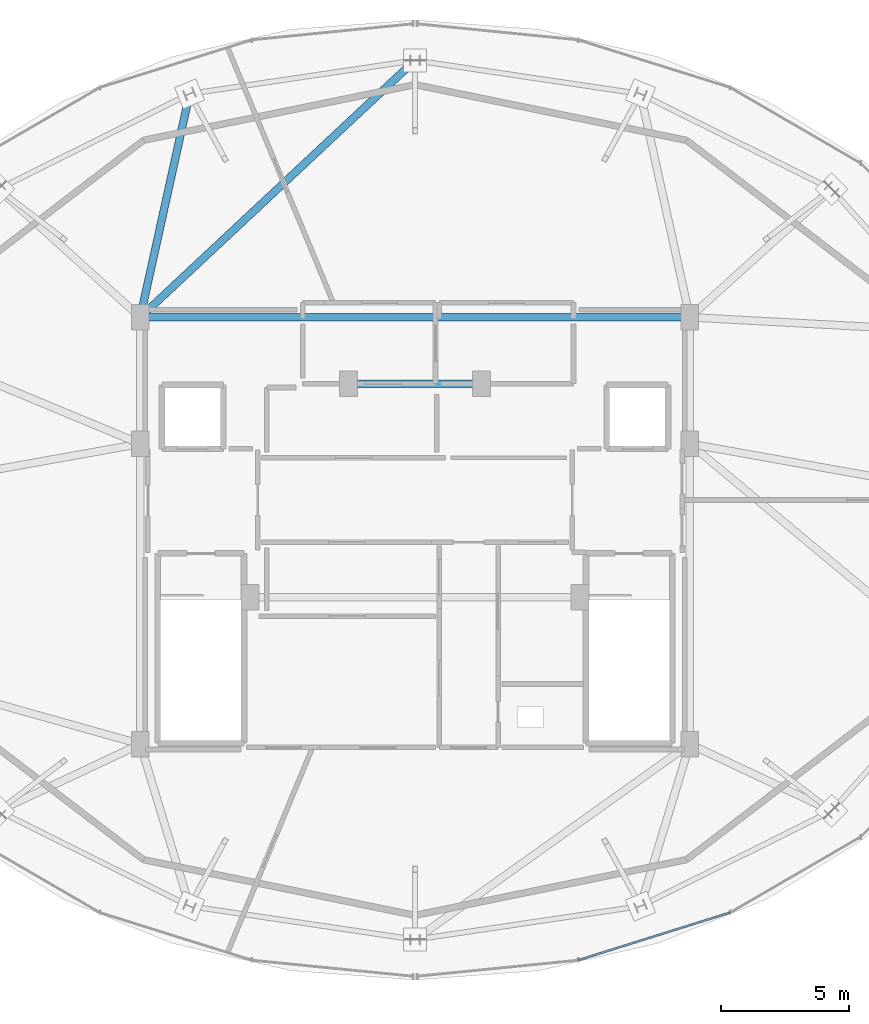
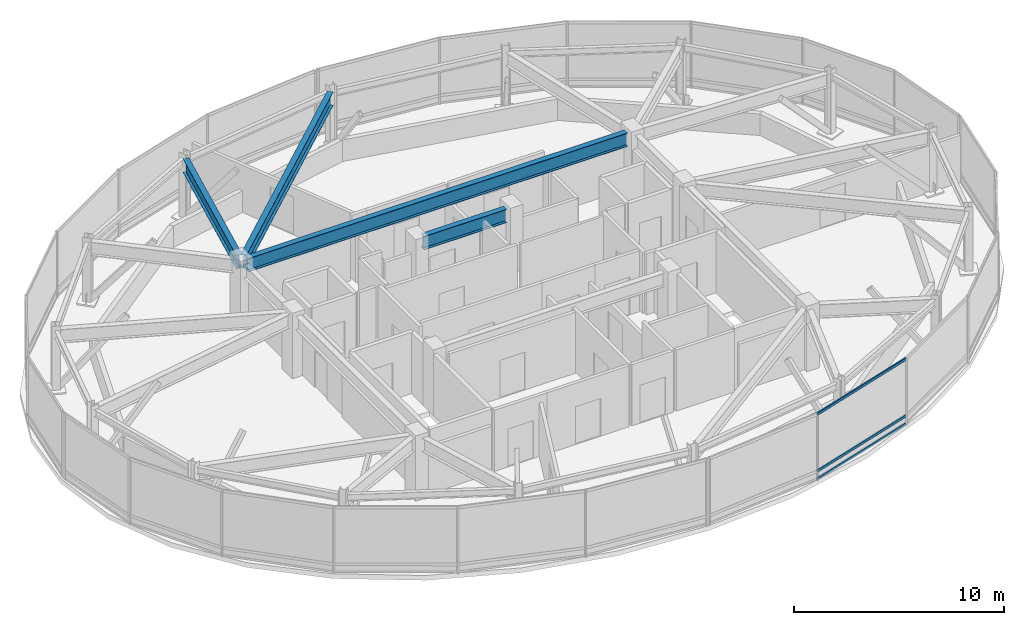
# One storey, part 11 of 28: 4 beams, 3 members, 1 element without a shape of its own.
"""IFC4 building model written with IfcOpenShell, lengths in metres."""

import ifcopenshell
import ifcopenshell.guid

model = None  # the IFC model being written
_history = None  # IfcOwnerHistory: only IFC2X3 demands one
_inside = {}  # id of a spatial element -> (the spatial element, [elements in it])
_under = {}  # id of a project, library or spatial element -> (it, [spatial elements below it])
_declared = {}  # id of a project -> (the project, [libraries it declares])
_typed = {}  # id of a type object -> (the type object, [elements of that type])
_made_of = {}  # id of a material, layer set ... -> (it, [elements and type objects made of it])


def new_model(schema):
    """Start an empty IFC model of exactly this schema.

    Asked for "IFC4X3", IfcOpenShell would pick the latest addendum, in which some entities
    have other attributes; the version numbers below select the first issue.
    IFC2X3 requires an IfcOwnerHistory on every rooted entity: one is made here for all.
    """
    global model, _history
    if schema == "IFC4X3":
        model = ifcopenshell.file(schema_version=(4, 3, 0, 0))
    else:
        model = ifcopenshell.file(schema=schema)
    _inside.clear()
    _under.clear()
    _declared.clear()
    _typed.clear()
    _made_of.clear()
    _history = None
    if model.schema == "IFC2X3":
        org = make("IfcOrganization", Name="unknown")
        user = make(
            "IfcPersonAndOrganization",
            ThePerson=make("IfcPerson", FamilyName="unknown"),
            TheOrganization=org,
        )
        app = make(
            "IfcApplication",
            ApplicationDeveloper=org,
            Version="unknown",
            ApplicationFullName="unknown",
            ApplicationIdentifier="unknown",
        )
        _history = make(
            "IfcOwnerHistory",
            OwningUser=user,
            OwningApplication=app,
            ChangeAction="ADDED",
            CreationDate=0,
        )
    return model


def make(cls, **values):
    """One entity of the class cls with the attributes given. An attribute that is None is left unset."""
    return model.create_entity(
        cls, **{name: value for name, value in values.items() if value is not None}
    )


def rooted(cls, **values):
    """An entity with a GlobalId (a new one), such as an element, a storey or a relation."""
    return make(cls, GlobalId=ifcopenshell.guid.new(), OwnerHistory=_history, **values)


def si_unit(unit_type, name, prefix=None):
    """IfcSIUnit, for example si_unit("LENGTHUNIT", "METRE", prefix="MILLI")."""
    return make("IfcSIUnit", UnitType=unit_type, Prefix=prefix, Name=name)


def assignment(units):
    """IfcUnitAssignment: the units of a project."""
    return None if units is None else make("IfcUnitAssignment", Units=units)


def point(xyz):
    """IfcCartesianPoint."""
    return None if xyz is None else make("IfcCartesianPoint", Coordinates=xyz)


def direction(xyz):
    """IfcDirection."""
    return None if xyz is None else make("IfcDirection", DirectionRatios=xyz)


def frame(location, z_axis=None, x_axis=None):
    """IfcAxis2Placement3D, a coordinate frame: its origin and axes. An axis left out is left unset."""
    return make(
        "IfcAxis2Placement3D",
        Location=point(location),
        Axis=direction(z_axis),
        RefDirection=direction(x_axis),
    )


def frame_2d(location, x_axis=None):
    """IfcAxis2Placement2D, a coordinate frame in the plane: its origin and x axis."""
    return make(
        "IfcAxis2Placement2D", Location=point(location), RefDirection=direction(x_axis)
    )


def origin():
    """The frame at (0, 0, 0) with its axes left unset."""
    return frame((0.0, 0.0, 0.0))


def origin_2d():
    """The frame at (0, 0) in the plane with its x axis left unset."""
    return frame_2d((0.0, 0.0))


def place(relative_to, where):
    """IfcLocalPlacement: puts the frame where relative to a parent placement (None: the world)."""
    return make(
        "IfcLocalPlacement", PlacementRelTo=relative_to, RelativePlacement=where
    )


def context(
    kind, dimensions, precision=None, world=None, true_north=None, identifier=None
):
    """IfcGeometricRepresentationContext, for example the 3D "Model" context."""
    return make(
        "IfcGeometricRepresentationContext",
        ContextIdentifier=identifier,
        ContextType=kind,
        CoordinateSpaceDimension=dimensions,
        Precision=precision,
        WorldCoordinateSystem=world,
        TrueNorth=true_north,
    )


def subcontext(parent, identifier, kind, view, scale=None):
    """IfcGeometricRepresentationSubContext, for example "Body" below "Model"."""
    return make(
        "IfcGeometricRepresentationSubContext",
        ContextIdentifier=identifier,
        ContextType=kind,
        ParentContext=parent,
        TargetScale=scale,
        TargetView=view,
    )


def project(units=None, contexts=None):
    """IfcProject with its units and contexts."""
    return rooted(
        "IfcProject",
        Name="project",
        RepresentationContexts=contexts,
        UnitsInContext=assignment(units),
    )


def spatial(cls, under=None, at=None, **own):
    """A site, building, storey or space (cls), placed at a placement, below another one or the project."""
    s = rooted(cls, ObjectPlacement=at, **own)
    if under is not None:
        _under.setdefault(under.id(), (under, []))[1].append(s)
    return s


def profile(cls, at=None, kind="AREA", **sizes):
    """A parametric profile (cls). Its sizes go by their IFC names, for example OverallWidth=200.0."""
    return make(cls, ProfileType=kind, Position=at, **sizes)


def hollow_rectangle(**sizes):
    """IfcRectangleHollowProfileDef."""
    return profile("IfcRectangleHollowProfileDef", **sizes)


def i_section(**sizes):
    """IfcIShapeProfileDef."""
    return profile("IfcIShapeProfileDef", **sizes)


def extrude(swept, where, along, depth):
    """IfcExtrudedAreaSolid: the profile swept, set in the frame where, extruded along a direction by depth."""
    return make(
        "IfcExtrudedAreaSolid",
        SweptArea=swept,
        Position=where,
        ExtrudedDirection=direction(along),
        Depth=depth,
    )


def shape(context_of_items, identifier, shape_type, items):
    """IfcShapeRepresentation: the items that make up one representation, for example the "Body"."""
    return make(
        "IfcShapeRepresentation",
        ContextOfItems=context_of_items,
        RepresentationIdentifier=identifier,
        RepresentationType=shape_type,
        Items=items,
    )


def material(Name=None, Category=None):
    """IfcMaterial."""
    return make("IfcMaterial", Name=Name, Category=Category)


def material_profile(
    of_material, cross_section, Name=None, Category=None, Priority=None
):
    """IfcMaterialProfile: a cross section and its material."""
    return make(
        "IfcMaterialProfile",
        Name=Name,
        Material=of_material,
        Profile=cross_section,
        Priority=Priority,
        Category=Category,
    )


def profile_set(profiles, Name=None, composite=None):
    """IfcMaterialProfileSet."""
    return make(
        "IfcMaterialProfileSet",
        Name=Name,
        MaterialProfiles=profiles,
        CompositeProfile=composite,
    )


def made_of(thing, what):
    """Note that an element or type object is made of a material, layer set ...; save() writes the relation."""
    if what is not None:
        _made_of.setdefault(what.id(), (what, []))[1].append(thing)
    return thing


def type_object(cls, material=None, **own):
    """A type object (cls), such as IfcWallType, which elements share."""
    return made_of(rooted(cls, **own), material)


def element(
    cls,
    number,
    at=None,
    inside=None,
    cuts=None,
    type_object=None,
    material=None,
    context=None,
    identifier="Body",
    shape_type=None,
    held_by="IfcProductDefinitionShape",
    body=None,
    shapes=None,
    **own,
):
    """One element of the class cls, such as IfcWall. Its Tag is "e" and its number.

    at: its placement. inside: the storey or other place that contains it. cuts: it is an
    opening in that element (IfcRelVoidsElement). A single representation is given by context,
    identifier, shape_type and body (its items); several are given by shapes. held_by: the class
    of the entity that holds the representations. save() writes the other relations.
    """
    e = rooted(cls, Tag="e%d" % number, ObjectPlacement=at, **own)
    if body is not None:
        shapes = [shape(context, identifier, shape_type, body)]
    if shapes is not None:
        e.Representation = make(held_by, Representations=shapes)
    if inside is not None:
        _inside.setdefault(inside.id(), (inside, []))[1].append(e)
    if cuts is not None:
        rooted(
            "IfcRelVoidsElement", RelatingBuildingElement=cuts, RelatedOpeningElement=e
        )
    if type_object is not None:
        _typed.setdefault(type_object.id(), (type_object, []))[1].append(e)
    return made_of(e, material)


def aggregate(whole, parts):
    """IfcRelAggregates: a whole, such as a stair, and the parts it consists of."""
    return rooted("IfcRelAggregates", RelatingObject=whole, RelatedObjects=parts)


def save(model, path):
    """Write the relations noted so far, then the file.

    IfcRelAggregates (storeys below a building ...), IfcRelContainedInSpatialStructure (elements
    in a storey), IfcRelDefinesByType, IfcRelAssociatesMaterial and IfcRelDeclares: one each for
    every whole, place, type object, material and project.
    """
    for whole, parts in _under.values():
        aggregate(whole, parts)
    for where, things in _inside.values():
        rooted(
            "IfcRelContainedInSpatialStructure",
            RelatedElements=things,
            RelatingStructure=where,
        )
    for kind, things in _typed.values():
        rooted("IfcRelDefinesByType", RelatedObjects=things, RelatingType=kind)
    for what, things in _made_of.values():
        rooted("IfcRelAssociatesMaterial", RelatedObjects=things, RelatingMaterial=what)
    for by, libraries in _declared.values():
        rooted("IfcRelDeclares", RelatingContext=by, RelatedDefinitions=libraries)
    model.write(path)


model = new_model("IFC4")

# Units and contexts
model_context = context("Model", 3, precision=1e-05, world=origin(), true_north=direction((0.0, 1.0)))
body_context = subcontext(model_context, "Body", "Model", "MODEL_VIEW")
ifc_project = project(units=[si_unit("LENGTHUNIT", "METRE"), si_unit("AREAUNIT", "SQUARE_METRE"), si_unit("VOLUMEUNIT", "CUBIC_METRE"), si_unit("PLANEANGLEUNIT", "RADIAN"), si_unit("MASSUNIT", "GRAM", prefix="KILO")], contexts=[model_context])

# Site, building, storey
site_placement = place(None, origin())
site = spatial("IfcSite", under=ifc_project, at=site_placement, CompositionType="ELEMENT")
building_placement = place(site_placement, origin())
building = spatial("IfcBuilding", under=site, at=building_placement, Name="Vorneva Point Tower", CompositionType="ELEMENT")
storey_placement = place(building_placement, frame((0.0, 0.0, 295.39990234375)))
storey = spatial("IfcBuildingStorey", under=building, at=storey_placement, Name="C01", CompositionType="ELEMENT", Elevation=295.39990234375)

# Beams
ifc_material_1 = material(Name="Steel S355", Category="steel")
ifc_material_profile_1 = material_profile(ifc_material_1, i_section(OverallWidth=0.300048828125, OverallDepth=0.7880859375, WebThickness=0.014404296875, FlangeThickness=0.02197265625, at=origin_2d()), Name="80Sh1")
ifc_profile_set_1 = profile_set([ifc_material_profile_1], Name="Steel S355")
beam_type = type_object("IfcBeamType", Name="BM-GRD-80Sh1", PredefinedType="USERDEFINED", material=ifc_profile_set_1)
beam_1_placement = place(storey_placement, frame((37.86279296875, 43.071533203125, 3.156005859375), z_axis=(-0.730495401496, -0.682917614646, 0.0), x_axis=(0.682917614646, -0.730495401496, 0.0)))
element("IfcBeam", 1, at=beam_1_placement, inside=storey, type_object=beam_type, Name="C01 Radial Primary Girder 05", ObjectType="GIRDER", PredefinedType="USERDEFINED", context=body_context, shape_type="SweptSolid", body=[
    extrude(i_section(OverallWidth=0.300048828125, OverallDepth=0.7880859375, WebThickness=0.014404296875, FlangeThickness=0.02197265625, at=origin_2d()), origin(), (0.0, 0.0, 1.0), 14.188232421875),
])
beam_2_placement = place(storey_placement, frame((29.138671875, 41.70703125, 3.156005859375), z_axis=(-0.215530781799, -0.97649704664, 0.0), x_axis=(0.97649704664, -0.215530781799, 0.0)))
element("IfcBeam", 2, at=beam_2_placement, inside=storey, type_object=beam_type, Name="C01 Radial Primary Girder 06", ObjectType="GIRDER", PredefinedType="USERDEFINED", context=body_context, shape_type="SweptSolid", body=[
    extrude(i_section(OverallWidth=0.300048828125, OverallDepth=0.7880859375, WebThickness=0.014404296875, FlangeThickness=0.02197265625, at=origin_2d()), origin(), (0.0, 0.0, 1.0), 8.423095703125),
])
beam_3_placement = place(storey_placement, frame((27.570068359375, 33.14990234375, 3.156005859375), z_axis=(1.0, 0.0, 0.0), x_axis=(0.0, 1.0, 0.0)))
element("IfcBeam", 3, at=beam_3_placement, inside=storey, type_object=beam_type, Name="C01 Core Tie Girder CT5", ObjectType="GIRDER", PredefinedType="USERDEFINED", context=body_context, shape_type="SweptSolid", body=[
    extrude(i_section(OverallWidth=0.300048828125, OverallDepth=0.7880859375, WebThickness=0.014404296875, FlangeThickness=0.02197265625, at=origin_2d()), origin(), (0.0, 0.0, 1.0), 20.85986328125),
])
beam_4_placement = place(storey_placement, frame((35.719970703125, 30.550048828125, 3.156005859375), z_axis=(1.0, 0.0, 0.0), x_axis=(0.0, 1.0, 0.0)))
element("IfcBeam", 4, at=beam_4_placement, inside=storey, type_object=beam_type, Name="C01 Core Tie Girder CT8", ObjectType="GIRDER", PredefinedType="USERDEFINED", context=body_context, shape_type="SweptSolid", body=[
    extrude(i_section(OverallWidth=0.300048828125, OverallDepth=0.7880859375, WebThickness=0.014404296875, FlangeThickness=0.02197265625, at=origin_2d()), origin(), (0.0, 0.0, 1.0), 4.56005859375),
])

# Curtain wall, members
ifc_material_2 = material(Name="Pale anodised aluminium", Category="aluminium")
curtain_wall_type = type_object("IfcCurtainWallType", Name="CW-CRN-SYS", PredefinedType="NOTDEFINED", material=ifc_material_2)
curtain_wall_placement = place(storey_placement, origin())
curtain_wall = element("IfcCurtainWall", 5, at=curtain_wall_placement, inside=storey, type_object=curtain_wall_type, Name="C01 Unitised Curtain Wall CW-C01-Q4", PredefinedType="NOTDEFINED")
ifc_material_profile_2 = material_profile(ifc_material_2, hollow_rectangle(XDim=0.074951171875, YDim=0.14990234375, WallThickness=0.00390625, at=origin_2d()), Name="AL-TRN 150x75x4")
ifc_profile_set_2 = profile_set([ifc_material_profile_2], Name="Pale anodised aluminium")
member_type = type_object("IfcMemberType", Name="CW-TRN-150", PredefinedType="USERDEFINED", material=ifc_profile_set_2)
member_1_placement = place(storey_placement, frame((44.3798828125, 7.9951171875, 0.02001953125), z_axis=(0.954275444767, 0.298928713099, 0.0), x_axis=(-0.298928713099, 0.954275444767, 0.0)))
member_1 = element("IfcMember", 6, at=member_1_placement, type_object=member_type, Name="CW-C01-Q4 Transom 02.1", ObjectType="TRANSOM", PredefinedType="USERDEFINED", context=body_context, shape_type="SweptSolid", body=[
    extrude(hollow_rectangle(XDim=0.074951171875, YDim=0.14990234375, WallThickness=0.00390625, at=origin_2d()), origin(), (0.0, 0.0, 1.0), 6.22998046875),
])
member_2_placement = place(storey_placement, frame((44.3798828125, 7.9951171875, 0.47998046875), z_axis=(0.954275444767, 0.298928713099, 0.0), x_axis=(-0.298928713099, 0.954275444767, 0.0)))
member_2 = element("IfcMember", 7, at=member_2_placement, type_object=member_type, Name="CW-C01-Q4 Transom 02.2", ObjectType="TRANSOM", PredefinedType="USERDEFINED", context=body_context, shape_type="SweptSolid", body=[
    extrude(hollow_rectangle(XDim=0.074951171875, YDim=0.14990234375, WallThickness=0.00390625, at=origin_2d()), origin(), (0.0, 0.0, 1.0), 6.22998046875),
])
member_3_placement = place(storey_placement, frame((44.3798828125, 7.9951171875, 3.780029296875), z_axis=(0.954275444767, 0.298928713099, 0.0), x_axis=(-0.298928713099, 0.954275444767, 0.0)))
member_3 = element("IfcMember", 8, at=member_3_placement, type_object=member_type, Name="CW-C01-Q4 Transom 02.3", ObjectType="TRANSOM", PredefinedType="USERDEFINED", context=body_context, shape_type="SweptSolid", body=[
    extrude(hollow_rectangle(XDim=0.074951171875, YDim=0.14990234375, WallThickness=0.00390625, at=origin_2d()), origin(), (0.0, 0.0, 1.0), 6.22998046875),
])
aggregate(curtain_wall, [member_1, member_2, member_3])

save(model, "model.ifc")
